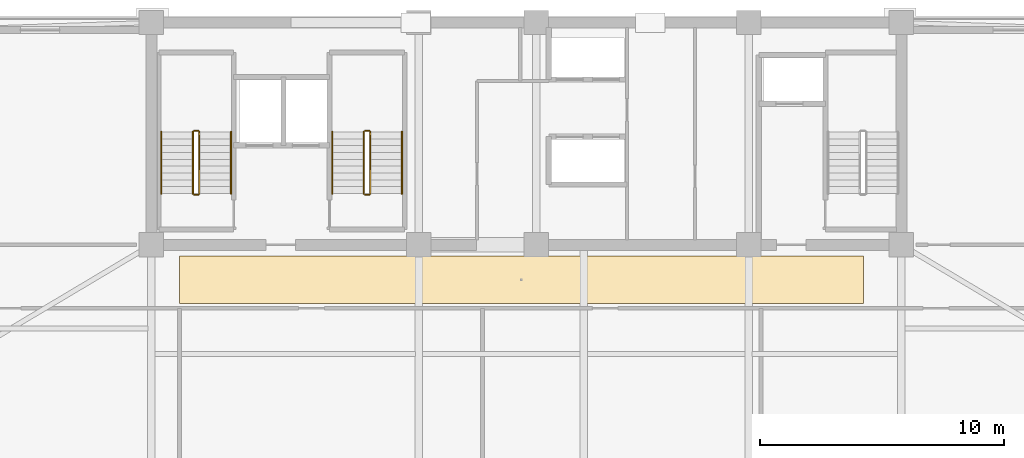
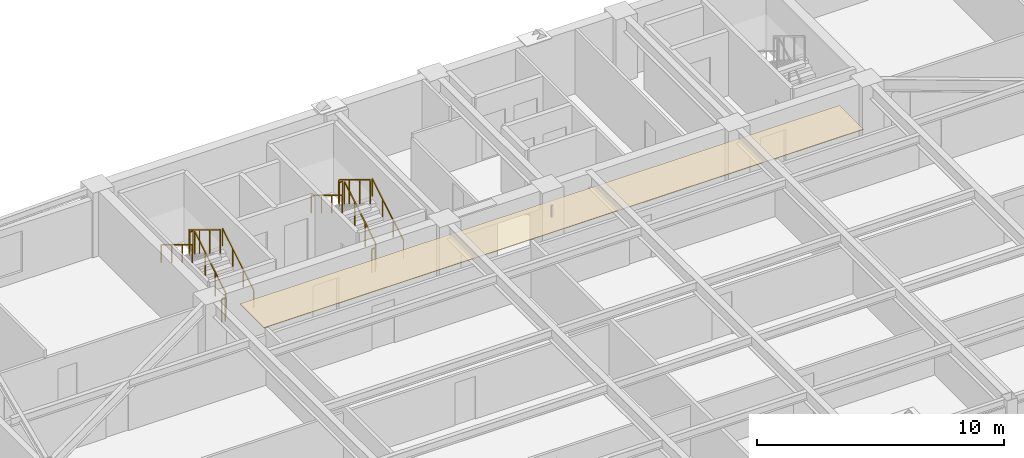
# One storey, part 14 of 17: 12 railings, 1 covering.
"""IFC4 building model written with IfcOpenShell, lengths in metres."""

from ifc_helpers import new_model, si_unit, direction, frame, origin, origin_2d, place, context, subcontext, project, spatial, polyline, rectangle, outline, extrude, material, layer, layer_set, type_object, element, save


model = new_model("IFC4")

# Units and contexts
model_context = context("Model", 3, precision=1e-05, world=origin(), true_north=direction((0.0, 1.0)))
body_context = subcontext(model_context, "Body", "Model", "MODEL_VIEW")
ifc_project = project(units=[si_unit("LENGTHUNIT", "METRE"), si_unit("AREAUNIT", "SQUARE_METRE"), si_unit("VOLUMEUNIT", "CUBIC_METRE"), si_unit("PLANEANGLEUNIT", "RADIAN"), si_unit("MASSUNIT", "GRAM", prefix="KILO")], contexts=[model_context])

# Site, building, storey
site_placement = place(None, origin())
site = spatial("IfcSite", under=ifc_project, at=site_placement, CompositionType="ELEMENT")
building_placement = place(site_placement, origin())
building = spatial("IfcBuilding", under=site, at=building_placement, Name="Giltprow Tower", CompositionType="ELEMENT")
storey_placement = place(building_placement, frame((0.0, 0.0, 251.89990234375)))
storey = spatial("IfcBuildingStorey", under=building, at=storey_placement, Name="L64", CompositionType="ELEMENT", Elevation=251.89990234375)

# Covering
ifc_material_1 = material(Name="Painted gypsum board", Category="gypsum")
ifc_layer = layer(ifc_material_1, 0.030029296875, Name="Painted gypsum board")
ifc_layer_set = layer_set([ifc_layer], Name="Painted gypsum board")
covering_type = type_object("IfcCoveringType", Name="COV-CLG-GYPSUM", PredefinedType="CEILING", material=ifc_layer_set)
covering_placement = place(storey_placement, frame((0.0, 0.0, 2.6201171875)))
element("IfcCovering", 1, at=covering_placement, inside=storey, type_object=covering_type, Name="L64 Residence Gallery Ceiling", PredefinedType="CEILING", context=body_context, shape_type="SweptSolid", body=[
    extrude(outline(polyline([(21.0, 35.050048828125), (49.0, 35.050048828125), (49.0, 37.0), (21.0, 37.0), (21.0, 35.050048828125)])), origin(), (0.0, 0.0, 1.0), 0.030029296875),
])

# Railings
ifc_material_2 = material(Name="Anodized bronze", Category="metal")
railing_type_1 = type_object("IfcRailingType", Name="RAIL-STAIR-GUARD-1200", PredefinedType="GUARDRAIL", material=ifc_material_2)
railing_1_placement = place(storey_placement, frame((21.81005859375, 39.550048828125, 0.170166015625)))
element("IfcRailing", 2, at=railing_1_placement, inside=storey, type_object=railing_type_1, Name="L64 ST-1 stair guard 1", PredefinedType="GUARDRAIL", context=body_context, shape_type="SweptSolid", body=[
    extrude(rectangle(XDim=0.048095703125, YDim=0.048095703125, at=origin_2d()), frame((0.0, 0.0, 1.17578125), z_axis=(0.0, 0.85478489116, 0.518982456201), x_axis=(-1.0, 0.0, 0.0)), (0.0, 0.0, 1.0), 2.9482421875),
    extrude(rectangle(XDim=0.0419921875, YDim=0.0419921875, at=origin_2d()), origin(), (0.0, 0.0, 1.0), 1.15185546875),
    extrude(rectangle(XDim=0.0419921875, YDim=0.0419921875, at=origin_2d()), frame((0.0, 0.840087890625, 0.510009765625)), (0.0, 0.0, 1.0), 1.15185546875),
    extrude(rectangle(XDim=0.0419921875, YDim=0.0419921875, at=origin_2d()), frame((0.0, 1.679931640625, 1.02001953125)), (0.0, 0.0, 1.0), 1.15185546875),
    extrude(rectangle(XDim=0.0419921875, YDim=0.0419921875, at=origin_2d()), frame((0.0, 2.52001953125, 1.530029296875)), (0.0, 0.0, 1.0), 1.15185546875),
])
railing_2_placement = place(storey_placement, frame((21.760009765625, 42.1201171875, 1.7001953125)))
element("IfcRailing", 3, at=railing_2_placement, inside=storey, type_object=railing_type_1, Name="L64 ST-1 stair guard 2", PredefinedType="GUARDRAIL", context=body_context, shape_type="SweptSolid", body=[
    extrude(rectangle(XDim=0.048095703125, YDim=0.048095703125, at=origin_2d()), frame((0.0, 0.0, 1.17578125), z_axis=(-1.0, 0.0, 0.0), x_axis=(0.0, -1.0, 0.0)), (0.0, 0.0, 1.0), 0.159912109375),
    extrude(rectangle(XDim=0.0419921875, YDim=0.0419921875, at=origin_2d()), origin(), (0.0, 0.0, 1.0), 1.15185546875),
    extrude(rectangle(XDim=0.0419921875, YDim=0.0419921875, at=origin_2d()), frame((-0.159912109375, 0.0, 0.0)), (0.0, 0.0, 1.0), 1.15185546875),
])
railing_3_placement = place(storey_placement, frame((21.550048828125, 42.070068359375, 1.8701171875)))
element("IfcRailing", 4, at=railing_3_placement, inside=storey, type_object=railing_type_1, Name="L64 ST-1 stair guard 3", PredefinedType="GUARDRAIL", context=body_context, shape_type="SweptSolid", body=[
    extrude(rectangle(XDim=0.048095703125, YDim=0.048095703125, at=origin_2d()), frame((0.0, 0.0, 1.17578125), z_axis=(0.0, -0.85478489116, 0.518982456201), x_axis=(1.0, 0.0, 0.0)), (0.0, 0.0, 1.0), 2.9482421875),
    extrude(rectangle(XDim=0.0419921875, YDim=0.0419921875, at=origin_2d()), origin(), (0.0, 0.0, 1.0), 1.15185546875),
    extrude(rectangle(XDim=0.0419921875, YDim=0.0419921875, at=origin_2d()), frame((0.0, -0.840087890625, 0.510009765625)), (0.0, 0.0, 1.0), 1.15185546875),
    extrude(rectangle(XDim=0.0419921875, YDim=0.0419921875, at=origin_2d()), frame((0.0, -1.679931640625, 1.02001953125)), (0.0, 0.0, 1.0), 1.15185546875),
    extrude(rectangle(XDim=0.0419921875, YDim=0.0419921875, at=origin_2d()), frame((0.0, -2.52001953125, 1.530029296875)), (0.0, 0.0, 1.0), 1.15185546875),
])
railing_4_placement = place(storey_placement, frame((21.760009765625, 39.5, 0.0)))
element("IfcRailing", 5, at=railing_4_placement, inside=storey, type_object=railing_type_1, Name="L64 ST-1 stair guard 4", PredefinedType="GUARDRAIL", context=body_context, shape_type="SweptSolid", body=[
    extrude(rectangle(XDim=0.048095703125, YDim=0.048095703125, at=origin_2d()), frame((0.0, 0.0, 1.17578125), z_axis=(-1.0, 0.0, 0.0), x_axis=(0.0, -1.0, 0.0)), (0.0, 0.0, 1.0), 0.159912109375),
    extrude(rectangle(XDim=0.0419921875, YDim=0.0419921875, at=origin_2d()), origin(), (0.0, 0.0, 1.0), 1.15185546875),
    extrude(rectangle(XDim=0.0419921875, YDim=0.0419921875, at=origin_2d()), frame((-0.159912109375, 0.0, 0.0)), (0.0, 0.0, 1.0), 1.15185546875),
])
railing_5_placement = place(storey_placement, frame((28.81005859375, 39.550048828125, 0.170166015625)))
element("IfcRailing", 6, at=railing_5_placement, inside=storey, type_object=railing_type_1, Name="L64 ST-2 stair guard 1", PredefinedType="GUARDRAIL", context=body_context, shape_type="SweptSolid", body=[
    extrude(rectangle(XDim=0.048095703125, YDim=0.048095703125, at=origin_2d()), frame((0.0, 0.0, 1.17578125), z_axis=(0.0, 0.85478489116, 0.518982456201), x_axis=(-1.0, 0.0, 0.0)), (0.0, 0.0, 1.0), 2.9482421875),
    extrude(rectangle(XDim=0.0419921875, YDim=0.0419921875, at=origin_2d()), origin(), (0.0, 0.0, 1.0), 1.15185546875),
    extrude(rectangle(XDim=0.0419921875, YDim=0.0419921875, at=origin_2d()), frame((0.0, 0.840087890625, 0.510009765625)), (0.0, 0.0, 1.0), 1.15185546875),
    extrude(rectangle(XDim=0.0419921875, YDim=0.0419921875, at=origin_2d()), frame((0.0, 1.679931640625, 1.02001953125)), (0.0, 0.0, 1.0), 1.15185546875),
    extrude(rectangle(XDim=0.0419921875, YDim=0.0419921875, at=origin_2d()), frame((0.0, 2.52001953125, 1.530029296875)), (0.0, 0.0, 1.0), 1.15185546875),
])
railing_6_placement = place(storey_placement, frame((28.760009765625, 42.1201171875, 1.7001953125)))
element("IfcRailing", 7, at=railing_6_placement, inside=storey, type_object=railing_type_1, Name="L64 ST-2 stair guard 2", PredefinedType="GUARDRAIL", context=body_context, shape_type="SweptSolid", body=[
    extrude(rectangle(XDim=0.048095703125, YDim=0.048095703125, at=origin_2d()), frame((0.0, 0.0, 1.17578125), z_axis=(-1.0, 0.0, 0.0), x_axis=(0.0, -1.0, 0.0)), (0.0, 0.0, 1.0), 0.159912109375),
    extrude(rectangle(XDim=0.0419921875, YDim=0.0419921875, at=origin_2d()), origin(), (0.0, 0.0, 1.0), 1.15185546875),
    extrude(rectangle(XDim=0.0419921875, YDim=0.0419921875, at=origin_2d()), frame((-0.159912109375, 0.0, 0.0)), (0.0, 0.0, 1.0), 1.15185546875),
])
railing_7_placement = place(storey_placement, frame((28.550048828125, 42.070068359375, 1.8701171875)))
element("IfcRailing", 8, at=railing_7_placement, inside=storey, type_object=railing_type_1, Name="L64 ST-2 stair guard 3", PredefinedType="GUARDRAIL", context=body_context, shape_type="SweptSolid", body=[
    extrude(rectangle(XDim=0.048095703125, YDim=0.048095703125, at=origin_2d()), frame((0.0, 0.0, 1.17578125), z_axis=(0.0, -0.85478489116, 0.518982456201), x_axis=(1.0, 0.0, 0.0)), (0.0, 0.0, 1.0), 2.9482421875),
    extrude(rectangle(XDim=0.0419921875, YDim=0.0419921875, at=origin_2d()), origin(), (0.0, 0.0, 1.0), 1.15185546875),
    extrude(rectangle(XDim=0.0419921875, YDim=0.0419921875, at=origin_2d()), frame((0.0, -0.840087890625, 0.510009765625)), (0.0, 0.0, 1.0), 1.15185546875),
    extrude(rectangle(XDim=0.0419921875, YDim=0.0419921875, at=origin_2d()), frame((0.0, -1.679931640625, 1.02001953125)), (0.0, 0.0, 1.0), 1.15185546875),
    extrude(rectangle(XDim=0.0419921875, YDim=0.0419921875, at=origin_2d()), frame((0.0, -2.52001953125, 1.530029296875)), (0.0, 0.0, 1.0), 1.15185546875),
])
railing_8_placement = place(storey_placement, frame((28.760009765625, 39.5, 0.0)))
element("IfcRailing", 9, at=railing_8_placement, inside=storey, type_object=railing_type_1, Name="L64 ST-2 stair guard 4", PredefinedType="GUARDRAIL", context=body_context, shape_type="SweptSolid", body=[
    extrude(rectangle(XDim=0.048095703125, YDim=0.048095703125, at=origin_2d()), frame((0.0, 0.0, 1.17578125), z_axis=(-1.0, 0.0, 0.0), x_axis=(0.0, -1.0, 0.0)), (0.0, 0.0, 1.0), 0.159912109375),
    extrude(rectangle(XDim=0.0419921875, YDim=0.0419921875, at=origin_2d()), origin(), (0.0, 0.0, 1.0), 1.15185546875),
    extrude(rectangle(XDim=0.0419921875, YDim=0.0419921875, at=origin_2d()), frame((-0.159912109375, 0.0, 0.0)), (0.0, 0.0, 1.0), 1.15185546875),
])
railing_type_2 = type_object("IfcRailingType", Name="RAIL-STAIR-HAND-900", PredefinedType="HANDRAIL", material=ifc_material_2)
railing_9_placement = place(storey_placement, frame((23.110107421875, 39.550048828125, 0.170166015625)))
element("IfcRailing", 10, at=railing_9_placement, inside=storey, type_object=railing_type_2, Name="L64 ST-1 stair handrail 1", PredefinedType="HANDRAIL", context=body_context, shape_type="SweptSolid", body=[
    extrude(rectangle(XDim=0.048095703125, YDim=0.048095703125, at=origin_2d()), frame((0.0, 0.0, 0.8759765625), z_axis=(0.0, 0.85478489116, 0.518982456201), x_axis=(-1.0, 0.0, 0.0)), (0.0, 0.0, 1.0), 2.9482421875),
    extrude(rectangle(XDim=0.0419921875, YDim=0.0419921875, at=origin_2d()), origin(), (0.0, 0.0, 1.0), 0.851806640625),
    extrude(rectangle(XDim=0.0419921875, YDim=0.0419921875, at=origin_2d()), frame((0.0, 0.840087890625, 0.510009765625)), (0.0, 0.0, 1.0), 0.851806640625),
    extrude(rectangle(XDim=0.0419921875, YDim=0.0419921875, at=origin_2d()), frame((0.0, 1.679931640625, 1.02001953125)), (0.0, 0.0, 1.0), 0.851806640625),
    extrude(rectangle(XDim=0.0419921875, YDim=0.0419921875, at=origin_2d()), frame((0.0, 2.52001953125, 1.530029296875)), (0.0, 0.0, 1.0), 0.851806640625),
])
railing_10_placement = place(storey_placement, frame((20.25, 42.070068359375, 1.8701171875)))
element("IfcRailing", 11, at=railing_10_placement, inside=storey, type_object=railing_type_2, Name="L64 ST-1 stair handrail 2", PredefinedType="HANDRAIL", context=body_context, shape_type="SweptSolid", body=[
    extrude(rectangle(XDim=0.048095703125, YDim=0.048095703125, at=origin_2d()), frame((0.0, 0.0, 0.8759765625), z_axis=(0.0, -0.85478489116, 0.518982456201), x_axis=(1.0, 0.0, 0.0)), (0.0, 0.0, 1.0), 2.9482421875),
    extrude(rectangle(XDim=0.0419921875, YDim=0.0419921875, at=origin_2d()), origin(), (0.0, 0.0, 1.0), 0.851806640625),
    extrude(rectangle(XDim=0.0419921875, YDim=0.0419921875, at=origin_2d()), frame((0.0, -0.840087890625, 0.510009765625)), (0.0, 0.0, 1.0), 0.851806640625),
    extrude(rectangle(XDim=0.0419921875, YDim=0.0419921875, at=origin_2d()), frame((0.0, -1.679931640625, 1.02001953125)), (0.0, 0.0, 1.0), 0.851806640625),
    extrude(rectangle(XDim=0.0419921875, YDim=0.0419921875, at=origin_2d()), frame((0.0, -2.52001953125, 1.530029296875)), (0.0, 0.0, 1.0), 0.851806640625),
])
railing_11_placement = place(storey_placement, frame((30.110107421875, 39.550048828125, 0.170166015625)))
element("IfcRailing", 12, at=railing_11_placement, inside=storey, type_object=railing_type_2, Name="L64 ST-2 stair handrail 1", PredefinedType="HANDRAIL", context=body_context, shape_type="SweptSolid", body=[
    extrude(rectangle(XDim=0.048095703125, YDim=0.048095703125, at=origin_2d()), frame((0.0, 0.0, 0.8759765625), z_axis=(0.0, 0.85478489116, 0.518982456201), x_axis=(-1.0, 0.0, 0.0)), (0.0, 0.0, 1.0), 2.9482421875),
    extrude(rectangle(XDim=0.0419921875, YDim=0.0419921875, at=origin_2d()), origin(), (0.0, 0.0, 1.0), 0.851806640625),
    extrude(rectangle(XDim=0.0419921875, YDim=0.0419921875, at=origin_2d()), frame((0.0, 0.840087890625, 0.510009765625)), (0.0, 0.0, 1.0), 0.851806640625),
    extrude(rectangle(XDim=0.0419921875, YDim=0.0419921875, at=origin_2d()), frame((0.0, 1.679931640625, 1.02001953125)), (0.0, 0.0, 1.0), 0.851806640625),
    extrude(rectangle(XDim=0.0419921875, YDim=0.0419921875, at=origin_2d()), frame((0.0, 2.52001953125, 1.530029296875)), (0.0, 0.0, 1.0), 0.851806640625),
])
railing_12_placement = place(storey_placement, frame((27.25, 42.070068359375, 1.8701171875)))
element("IfcRailing", 13, at=railing_12_placement, inside=storey, type_object=railing_type_2, Name="L64 ST-2 stair handrail 2", PredefinedType="HANDRAIL", context=body_context, shape_type="SweptSolid", body=[
    extrude(rectangle(XDim=0.048095703125, YDim=0.048095703125, at=origin_2d()), frame((0.0, 0.0, 0.8759765625), z_axis=(0.0, -0.85478489116, 0.518982456201), x_axis=(1.0, 0.0, 0.0)), (0.0, 0.0, 1.0), 2.9482421875),
    extrude(rectangle(XDim=0.0419921875, YDim=0.0419921875, at=origin_2d()), origin(), (0.0, 0.0, 1.0), 0.851806640625),
    extrude(rectangle(XDim=0.0419921875, YDim=0.0419921875, at=origin_2d()), frame((0.0, -0.840087890625, 0.510009765625)), (0.0, 0.0, 1.0), 0.851806640625),
    extrude(rectangle(XDim=0.0419921875, YDim=0.0419921875, at=origin_2d()), frame((0.0, -1.679931640625, 1.02001953125)), (0.0, 0.0, 1.0), 0.851806640625),
    extrude(rectangle(XDim=0.0419921875, YDim=0.0419921875, at=origin_2d()), frame((0.0, -2.52001953125, 1.530029296875)), (0.0, 0.0, 1.0), 0.851806640625),
])

save(model, "model.ifc")
